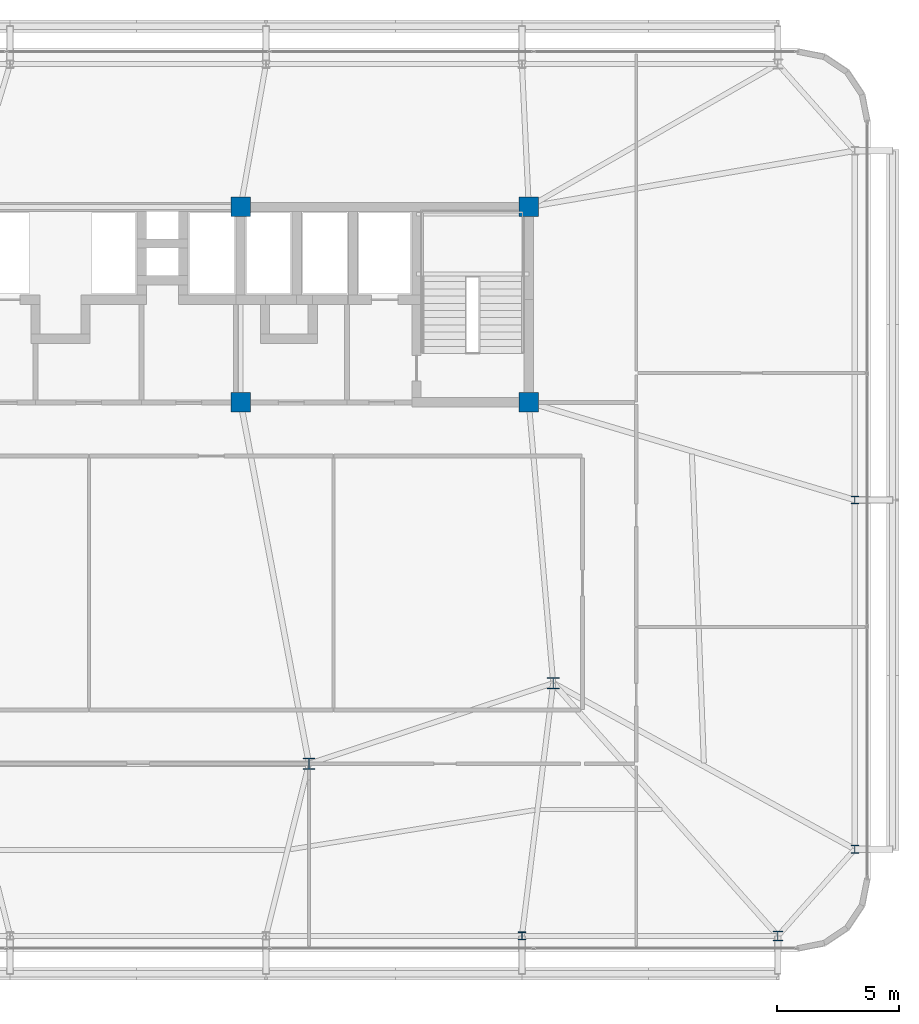
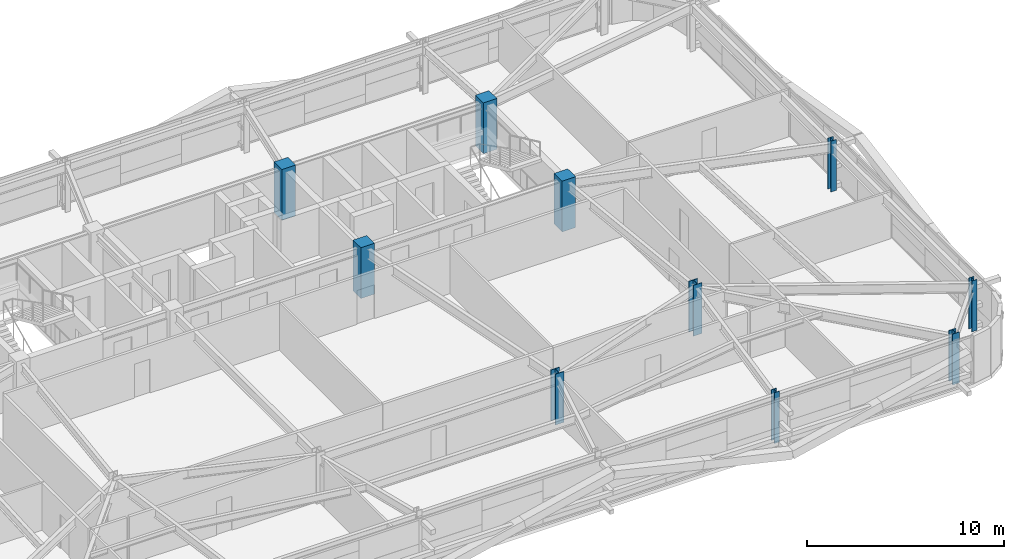
# One storey, part 2 of 44: 10 columns.
"""IFC4 building model written with IfcOpenShell, lengths in metres."""

from ifc_helpers import new_model, si_unit, direction, frame, origin, origin_2d, place, context, subcontext, project, spatial, rectangle, i_section, extrude, source, transform, mapped, material, material_profile, profile_set, type_object, element, save


model = new_model("IFC4")

# Units and contexts
model_context = context("Model", 3, precision=1e-05, world=origin(), true_north=direction((0.0, 1.0)))
body_context = subcontext(model_context, "Body", "Model", "MODEL_VIEW")
ifc_project = project(units=[si_unit("LENGTHUNIT", "METRE"), si_unit("AREAUNIT", "SQUARE_METRE"), si_unit("VOLUMEUNIT", "CUBIC_METRE"), si_unit("PLANEANGLEUNIT", "RADIAN"), si_unit("MASSUNIT", "GRAM", prefix="KILO")], contexts=[model_context])

# Site, building, storey
site_placement = place(None, origin())
site = spatial("IfcSite", under=ifc_project, at=site_placement, CompositionType="ELEMENT")
building_placement = place(site_placement, origin())
building = spatial("IfcBuilding", under=site, at=building_placement, Name="Taldren Reach Tower", CompositionType="ELEMENT")
storey_placement = place(building_placement, frame((0.0, 0.0, 42.0)))
storey = spatial("IfcBuildingStorey", under=building, at=storey_placement, Name="L12", CompositionType="ELEMENT", Elevation=42.0)

# Columns
ifc_material_1 = material(Name="Steel Gr 350 (350PLUS)", Category="steel")
ifc_material_profile_1 = material_profile(ifc_material_1, i_section(OverallWidth=0.5, OverallDepth=0.47998046875, WebThickness=0.028076171875, FlangeThickness=0.0439453125, at=origin_2d()), Name="500WC440")
ifc_profile_set_1 = profile_set([ifc_material_profile_1], Name="Steel Gr 350 (350PLUS)")
column_type_1 = type_object("IfcColumnType", Name="COL-WC500A", PredefinedType="COLUMN", material=ifc_profile_set_1)
shared_shape_1 = source(origin(), body_context, "Body", "SweptSolid", [
    extrude(i_section(OverallWidth=0.5, OverallDepth=0.47998046875, WebThickness=0.028076171875, FlangeThickness=0.0439453125, at=origin_2d()), origin(), (0.0, 0.0, 1.0), 3.14990234375),
])
column_1_placement = place(storey_placement, frame((42.0, 9.199951171875, 0.0), z_axis=(0.0, 0.0, 1.0), x_axis=(1.0, 0.0, 0.0)))
element("IfcColumn", 1, at=column_1_placement, inside=storey, type_object=column_type_1, Name="Mega column MC-PJE L12", PredefinedType="COLUMN", context=body_context, shape_type="MappedRepresentation", body=[
    mapped(shared_shape_1, transform((0.0, 0.0, 0.0), scale=1.0)),
])
ifc_material_profile_2 = material_profile(ifc_material_1, i_section(OverallWidth=0.39990234375, OverallDepth=0.39599609375, WebThickness=0.02197265625, FlangeThickness=0.033935546875, at=origin_2d()), Name="400WC270")
ifc_profile_set_2 = profile_set([ifc_material_profile_2], Name="Steel Gr 350 (350PLUS)")
column_type_2 = type_object("IfcColumnType", Name="COL-WC400", PredefinedType="COLUMN", material=ifc_profile_set_2)
shared_shape_2 = source(origin(), body_context, "Body", "SweptSolid", [
    extrude(i_section(OverallWidth=0.39990234375, OverallDepth=0.39599609375, WebThickness=0.02197265625, FlangeThickness=0.033935546875, at=origin_2d()), origin(), (0.0, 0.0, 1.0), 3.14990234375),
])
column_2_placement = place(storey_placement, frame((61.199951171875, 2.14990234375, 0.0), z_axis=(0.0, 0.0, 1.0), x_axis=(1.0, 0.0, 0.0)))
element("IfcColumn", 2, at=column_2_placement, inside=storey, type_object=column_type_2, Name="Block B1 perimeter column S6 L12", PredefinedType="COLUMN", context=body_context, shape_type="MappedRepresentation", body=[
    mapped(shared_shape_2, transform((0.0, 0.0, 0.0), scale=1.0)),
])
ifc_material_profile_3 = material_profile(ifc_material_1, i_section(OverallWidth=0.31103515625, OverallDepth=0.326904296875, WebThickness=0.015625, FlangeThickness=0.02490234375, at=origin_2d()), Name="310UC158")
ifc_profile_set_3 = profile_set([ifc_material_profile_3], Name="Steel Gr 350 (350PLUS)")
column_type_3 = type_object("IfcColumnType", Name="COL-UC310A", PredefinedType="COLUMN", material=ifc_profile_set_3)
shared_shape_3 = source(origin(), body_context, "Body", "SweptSolid", [
    extrude(i_section(OverallWidth=0.31103515625, OverallDepth=0.326904296875, WebThickness=0.015625, FlangeThickness=0.02490234375, at=origin_2d()), origin(), (0.0, 0.0, 1.0), 3.14990234375),
])
for number, where, z_axis, x_axis, name in (
    (3, (50.719970703125, 2.14990234375, 0.0), (0.0, 0.0, 1.0), (1.0, 0.0, 0.0), "Block B1 perimeter column S5 L12"),
    (4, (64.35009765625, 5.699951171875, 0.0), (0.0, 0.0, 1.0), (1.0, 0.0, 0.0), "Block B1 perimeter column E1 L12"),
    (5, (64.35009765625, 20.0, 0.0), (0.0, 0.0, 1.0), (1.0, 0.0, 0.0), "Block B1 perimeter column E2 L12"),
):
    element("IfcColumn", number, at=place(storey_placement, frame(where, z_axis=z_axis, x_axis=x_axis)), inside=storey, type_object=column_type_3, Name=name, PredefinedType="COLUMN", context=body_context, shape_type="MappedRepresentation", body=[
        mapped(shared_shape_3, transform((0.0, 0.0, 0.0), scale=1.0)),
    ])
ifc_material_2 = material(Name="Concrete S65 (65 MPa)", Category="concrete")
ifc_material_profile_4 = material_profile(ifc_material_2, rectangle(XDim=0.800048828125, YDim=0.800048828125, at=origin_2d()), Name="RC-800x800")
ifc_profile_set_4 = profile_set([ifc_material_profile_4], Name="Concrete S65 (65 MPa)")
column_type_4 = type_object("IfcColumnType", Name="COL-RC800", PredefinedType="COLUMN", material=ifc_profile_set_4)
shared_shape_4 = source(origin(), body_context, "Body", "SweptSolid", [
    extrude(rectangle(XDim=0.800048828125, YDim=0.800048828125, at=origin_2d()), origin(), (0.0, 0.0, 1.0), 3.14990234375),
])
for number, where, z_axis, x_axis, name in (
    (6, (39.199951171875, 24.0, 0.0), (0.0, 0.0, 1.0), (1.0, 0.0, 0.0), "Mega column MC-C3 L12"),
    (7, (51.0, 24.0, 0.0), (0.0, 0.0, 1.0), (1.0, 0.0, 0.0), "Mega column MC-C4 L12"),
    (8, (39.199951171875, 32.0, 0.0), (0.0, 0.0, 1.0), (1.0, 0.0, 0.0), "Mega column MC-C7 L12"),
    (9, (51.0, 32.0, 0.0), (0.0, 0.0, 1.0), (1.0, 0.0, 0.0), "Mega column MC-C8 L12"),
):
    element("IfcColumn", number, at=place(storey_placement, frame(where, z_axis=z_axis, x_axis=x_axis)), inside=storey, type_object=column_type_4, Name=name, PredefinedType="COLUMN", context=body_context, shape_type="MappedRepresentation", body=[
        mapped(shared_shape_4, transform((0.0, 0.0, 0.0), scale=1.0)),
    ])
ifc_material_profile_5 = material_profile(ifc_material_1, i_section(OverallWidth=0.5, OverallDepth=0.464111328125, WebThickness=0.02197265625, FlangeThickness=0.033935546875, at=origin_2d()), Name="500WC340")
ifc_profile_set_5 = profile_set([ifc_material_profile_5], Name="Steel Gr 350 (350PLUS)")
column_type_5 = type_object("IfcColumnType", Name="COL-WC500B", PredefinedType="COLUMN", material=ifc_profile_set_5)
shared_shape_5 = source(origin(), body_context, "Body", "SweptSolid", [
    extrude(i_section(OverallWidth=0.5, OverallDepth=0.464111328125, WebThickness=0.02197265625, FlangeThickness=0.033935546875, at=origin_2d()), origin(), (0.0, 0.0, 1.0), 3.14990234375),
])
column_3_placement = place(storey_placement, frame((52.0, 12.5, 0.0), z_axis=(0.0, 0.0, 1.0), x_axis=(1.0, 0.0, 0.0)))
element("IfcColumn", 10, at=column_3_placement, inside=storey, type_object=column_type_5, Name="Mega column MC-SE L12", PredefinedType="COLUMN", context=body_context, shape_type="MappedRepresentation", body=[
    mapped(shared_shape_5, transform((0.0, 0.0, 0.0), scale=1.0)),
])

save(model, "model.ifc")
